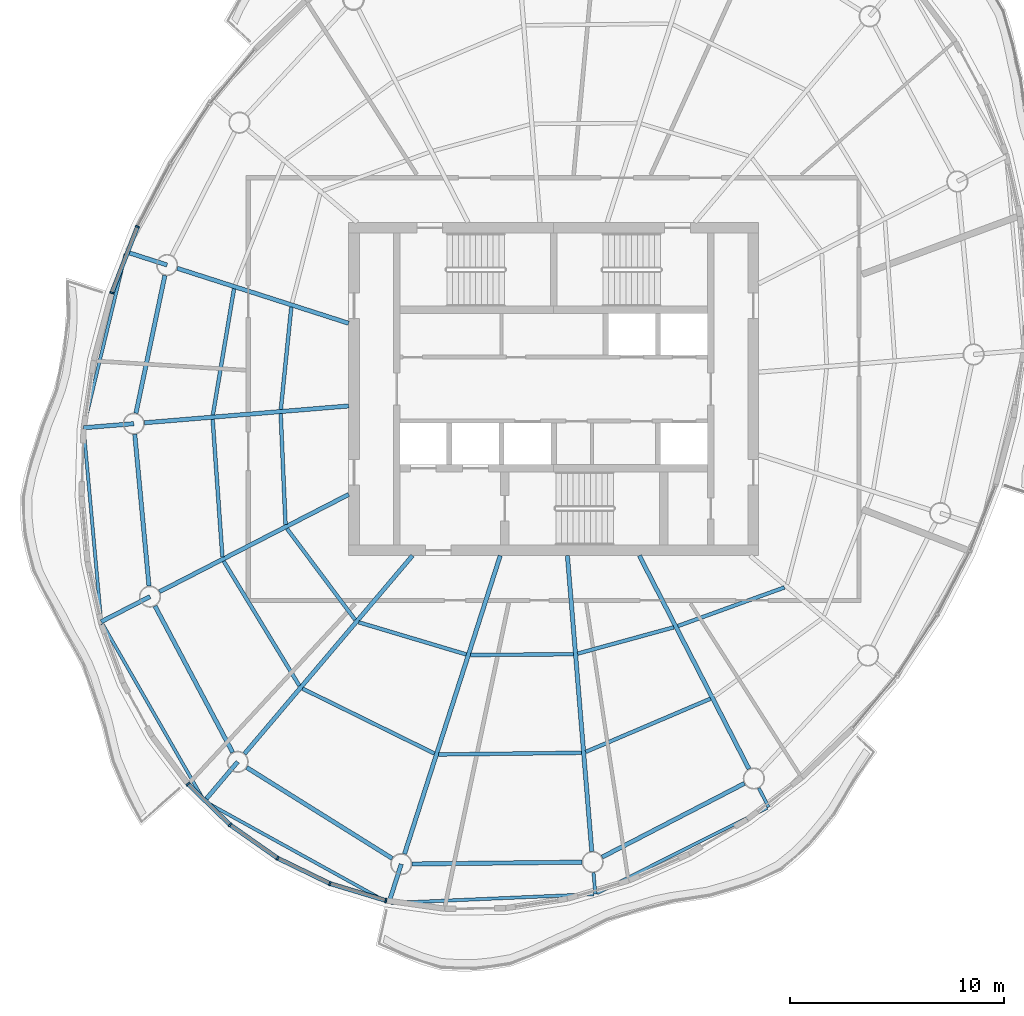
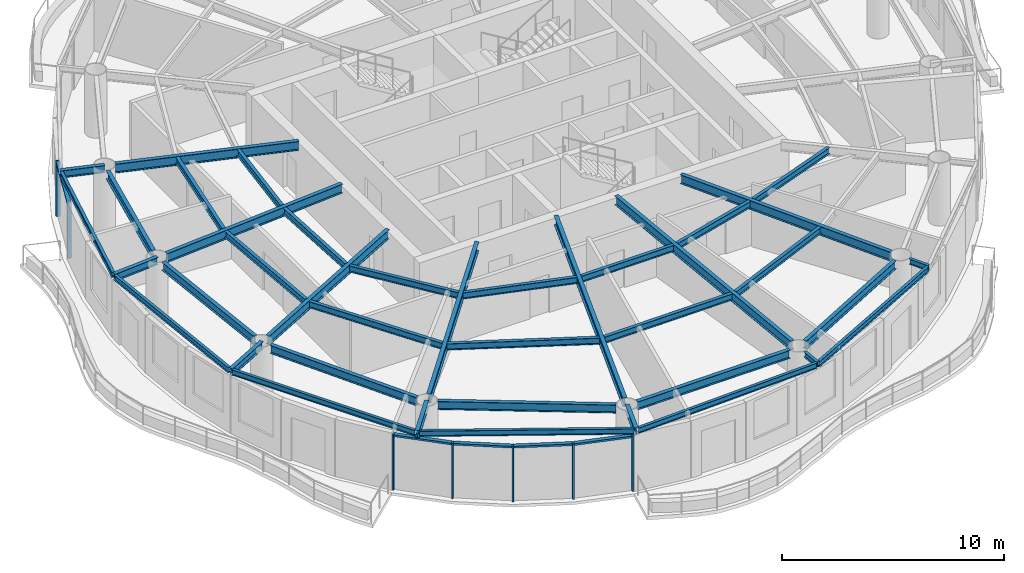
# One storey, part 2 of 13: 39 beams, 12 members, 5 elements without a shape of their own.
"""IFC4 building model written with IfcOpenShell, lengths in metres."""

from ifc_helpers import new_model, si_unit, direction, frame, origin, origin_2d, place, context, subcontext, project, spatial, rectangle, i_section, extrude, material, material_profile, profile_set, type_object, element, aggregate, save


model = new_model("IFC4")

# Units and contexts
model_context = context("Model", 3, precision=1e-05, world=origin(), true_north=direction((0.0, 1.0)))
body_context = subcontext(model_context, "Body", "Model", "MODEL_VIEW")
ifc_project = project(units=[si_unit("LENGTHUNIT", "METRE"), si_unit("AREAUNIT", "SQUARE_METRE"), si_unit("VOLUMEUNIT", "CUBIC_METRE"), si_unit("PLANEANGLEUNIT", "RADIAN"), si_unit("MASSUNIT", "GRAM", prefix="KILO")], contexts=[model_context])

# Site, building, storey
site_placement = place(None, origin())
site = spatial("IfcSite", under=ifc_project, at=site_placement, CompositionType="ELEMENT")
building_placement = place(site_placement, origin())
building = spatial("IfcBuilding", under=site, at=building_placement, Name="Vermilion Reach Broadcast Tower", CompositionType="ELEMENT")
storey_placement = place(building_placement, frame((0.0, 0.0, 272.10009765625)))
storey = spatial("IfcBuildingStorey", under=building, at=storey_placement, Name="L67", CompositionType="ELEMENT", Elevation=272.10009765625)

# Beams
ifc_material_1 = material(Name="Steel S355J2", Category="steel")
ifc_material_profile_1 = material_profile(ifc_material_1, i_section(OverallWidth=0.14990234375, OverallDepth=0.300048828125, WebThickness=0.006591796875, FlangeThickness=0.009033203125, at=origin_2d()), Name="S355J2 HN 300x150x6.5x9")
ifc_profile_set_1 = profile_set([ifc_material_profile_1], Name="Steel S355J2")
beam_type_1 = type_object("IfcBeamType", Name="EB5 HN 300x150x6.5x9", PredefinedType="BEAM", material=ifc_profile_set_1)
beam_1_placement = place(storey_placement, frame((-26.05126953125, 6.328857421875, 3.2998046875), z_axis=(-0.234596291436, -0.972092886531, 0.0), x_axis=(0.972092886531, -0.234596291436, 0.0)))
element("IfcBeam", 1, at=beam_1_placement, inside=storey, type_object=beam_type_1, Name="Edge beam EB5-05", PredefinedType="BEAM", context=body_context, shape_type="SweptSolid", body=[
    extrude(i_section(OverallWidth=0.14990234375, OverallDepth=0.300048828125, WebThickness=0.006591796875, FlangeThickness=0.009033203125, at=origin_2d()), origin(), (0.0, 0.0, 1.0), 8.271240234375),
])
beam_2_placement = place(storey_placement, frame((-28.00732421875, -1.91357421875, 3.2998046875), z_axis=(0.090664207473, -0.995881519802, 0.0), x_axis=(0.995881519802, 0.090664207473, 0.0)))
element("IfcBeam", 2, at=beam_2_placement, inside=storey, type_object=beam_type_1, Name="Edge beam EB5-06", PredefinedType="BEAM", context=body_context, shape_type="SweptSolid", body=[
    extrude(i_section(OverallWidth=0.14990234375, OverallDepth=0.300048828125, WebThickness=0.006591796875, FlangeThickness=0.009033203125, at=origin_2d()), origin(), (0.0, 0.0, 1.0), 8.910400390625),
])
beam_3_placement = place(storey_placement, frame((-27.1396484375, -10.9814453125, 3.2998046875), z_axis=(0.498113756317, -0.867111691634, 0.0), x_axis=(0.867111691634, 0.498113756317, 0.0)))
element("IfcBeam", 3, at=beam_3_placement, inside=storey, type_object=beam_type_1, Name="Edge beam EB5-07", PredefinedType="BEAM", context=body_context, shape_type="SweptSolid", body=[
    extrude(i_section(OverallWidth=0.14990234375, OverallDepth=0.300048828125, WebThickness=0.006591796875, FlangeThickness=0.009033203125, at=origin_2d()), origin(), (0.0, 0.0, 1.0), 9.486572265625),
])
beam_4_placement = place(storey_placement, frame((-22.27197265625, -19.348876953125, 3.2998046875), z_axis=(0.875132600865, -0.483883178984, 0.0), x_axis=(0.483883178984, 0.875132600865, 0.0)))
element("IfcBeam", 4, at=beam_4_placement, inside=storey, type_object=beam_type_1, Name="Edge beam EB5-08", PredefinedType="BEAM", context=body_context, shape_type="SweptSolid", body=[
    extrude(i_section(OverallWidth=0.14990234375, OverallDepth=0.300048828125, WebThickness=0.006591796875, FlangeThickness=0.009033203125, at=origin_2d()), origin(), (0.0, 0.0, 1.0), 9.66455078125),
])
beam_5_placement = place(storey_placement, frame((-13.618408203125, -24.070068359375, 3.2998046875), z_axis=(0.999049942398, 0.043579956335, 0.0), x_axis=(-0.043579956335, 0.999049942398, 0.0)))
element("IfcBeam", 5, at=beam_5_placement, inside=storey, type_object=beam_type_1, Name="Edge beam EB5-09", PredefinedType="BEAM", context=body_context, shape_type="SweptSolid", body=[
    extrude(i_section(OverallWidth=0.14990234375, OverallDepth=0.300048828125, WebThickness=0.006591796875, FlangeThickness=0.009033203125, at=origin_2d()), origin(), (0.0, 0.0, 1.0), 9.501220703125),
])
beam_6_placement = place(storey_placement, frame((-3.97900390625, -23.616455078125, 3.2998046875), z_axis=(0.893725948461, 0.448613340247, 0.0), x_axis=(-0.448613340247, 0.893725948461, 0.0)))
element("IfcBeam", 6, at=beam_6_placement, inside=storey, type_object=beam_type_1, Name="Edge beam EB5-10", PredefinedType="BEAM", context=body_context, shape_type="SweptSolid", body=[
    extrude(i_section(OverallWidth=0.14990234375, OverallDepth=0.300048828125, WebThickness=0.006591796875, FlangeThickness=0.009033203125, at=origin_2d()), origin(), (0.0, 0.0, 1.0), 8.9267578125),
])
ifc_material_2 = material(Name="Steel S355J2", Category="steel")
ifc_material_profile_2 = material_profile(ifc_material_2, i_section(OverallWidth=0.199951171875, OverallDepth=0.5, WebThickness=0.010009765625, FlangeThickness=0.01611328125, at=origin_2d()), Name="S355J2 HN 500x200x10x16")
ifc_profile_set_2 = profile_set([ifc_material_profile_2], Name="Steel S355J2")
beam_type_2 = type_object("IfcBeamType", Name="G5 HN 500x200x10x16", PredefinedType="BEAM", material=ifc_profile_set_2)
beam_7_placement = place(storey_placement, frame((-15.60009765625, 3.080322265625, 3.199951171875), z_axis=(-0.952178453449, 0.305542456604, 0.0), x_axis=(-0.305542456604, -0.952178453449, 0.0)))
element("IfcBeam", 7, at=beam_7_placement, inside=storey, type_object=beam_type_2, Name="Girder G5-05", PredefinedType="BEAM", context=body_context, shape_type="SweptSolid", body=[
    extrude(i_section(OverallWidth=0.199951171875, OverallDepth=0.5, WebThickness=0.010009765625, FlangeThickness=0.01611328125, at=origin_2d()), origin(), (0.0, 0.0, 1.0), 8.43310546875),
])
beam_8_placement = place(storey_placement, frame((-15.60009765625, -0.791015625, 3.199951171875), z_axis=(-0.996624410075, -0.082096195058, 0.0), x_axis=(0.082096195058, -0.996624410075, 0.0)))
element("IfcBeam", 8, at=beam_8_placement, inside=storey, type_object=beam_type_2, Name="Girder G5-06", PredefinedType="BEAM", context=body_context, shape_type="SweptSolid", body=[
    extrude(i_section(OverallWidth=0.199951171875, OverallDepth=0.5, WebThickness=0.010009765625, FlangeThickness=0.01611328125, at=origin_2d()), origin(), (0.0, 0.0, 1.0), 9.599609375),
])
beam_9_placement = place(storey_placement, frame((-15.60009765625, -4.935791015625, 3.199951171875), z_axis=(-0.889332502449, -0.457261085254, 0.0), x_axis=(0.457261085254, -0.889332502449, 0.0)))
element("IfcBeam", 9, at=beam_9_placement, inside=storey, type_object=beam_type_2, Name="Girder G5-07", PredefinedType="BEAM", context=body_context, shape_type="SweptSolid", body=[
    extrude(i_section(OverallWidth=0.199951171875, OverallDepth=0.5, WebThickness=0.010009765625, FlangeThickness=0.01611328125, at=origin_2d()), origin(), (0.0, 0.0, 1.0), 9.96337890625),
])
beam_10_placement = place(storey_placement, frame((-12.612548828125, -7.800048828125, 3.199951171875), z_axis=(-0.646658335602, -0.762779782766, 0.0), x_axis=(0.762779782766, -0.646658335602, 0.0)))
element("IfcBeam", 10, at=beam_10_placement, inside=storey, type_object=beam_type_2, Name="Girder G5-08", PredefinedType="BEAM", context=body_context, shape_type="SweptSolid", body=[
    extrude(i_section(OverallWidth=0.199951171875, OverallDepth=0.5, WebThickness=0.010009765625, FlangeThickness=0.01611328125, at=origin_2d()), origin(), (0.0, 0.0, 1.0), 12.16064453125),
])
beam_11_placement = place(storey_placement, frame((-8.502685546875, -7.800048828125, 3.199951171875), z_axis=(-0.305545401295, -0.952177508528, 0.0), x_axis=(0.952177508528, -0.305545401295, 0.0)))
element("IfcBeam", 11, at=beam_11_placement, inside=storey, type_object=beam_type_2, Name="Girder G5-09", PredefinedType="BEAM", context=body_context, shape_type="SweptSolid", body=[
    extrude(i_section(OverallWidth=0.199951171875, OverallDepth=0.5, WebThickness=0.010009765625, FlangeThickness=0.01611328125, at=origin_2d()), origin(), (0.0, 0.0, 1.0), 14.672607421875),
])
beam_12_placement = place(storey_placement, frame((-5.357421875, -7.800048828125, 3.199951171875), z_axis=(0.082123744247, -0.996622140347, 0.0), x_axis=(0.996622140347, 0.082123744247, 0.0)))
element("IfcBeam", 12, at=beam_12_placement, inside=storey, type_object=beam_type_2, Name="Girder G5-10", PredefinedType="BEAM", context=body_context, shape_type="SweptSolid", body=[
    extrude(i_section(OverallWidth=0.199951171875, OverallDepth=0.5, WebThickness=0.010009765625, FlangeThickness=0.01611328125, at=origin_2d()), origin(), (0.0, 0.0, 1.0), 13.89794921875),
])
beam_13_placement = place(storey_placement, frame((-1.989501953125, -7.800048828125, 3.199951171875), z_axis=(0.457258168112, -0.889334002327, 0.0), x_axis=(0.889334002327, 0.457258168112, 0.0)))
element("IfcBeam", 13, at=beam_13_placement, inside=storey, type_object=beam_type_2, Name="Girder G5-11", PredefinedType="BEAM", context=body_context, shape_type="SweptSolid", body=[
    extrude(i_section(OverallWidth=0.199951171875, OverallDepth=0.5, WebThickness=0.010009765625, FlangeThickness=0.01611328125, at=origin_2d()), origin(), (0.0, 0.0, 1.0), 11.236328125),
])
ifc_material_3 = material(Name="Steel S355J2", Category="steel")
ifc_material_profile_3 = material_profile(ifc_material_3, i_section(OverallWidth=0.199951171875, OverallDepth=0.39990234375, WebThickness=0.008056640625, FlangeThickness=0.012939453125, at=origin_2d()), Name="S355J2 HN 400x200x8x13")
ifc_profile_set_3 = profile_set([ifc_material_profile_3], Name="Steel S355J2")
beam_type_3 = type_object("IfcBeamType", Name="GC5 HN 400x200x8x13", PredefinedType="BEAM", material=ifc_profile_set_3)
beam_14_placement = place(storey_placement, frame((-24.10595703125, 5.809814453125, 3.25), z_axis=(-0.95221465276, 0.305429623758, 0.0), x_axis=(-0.305429623758, -0.95221465276, 0.0)))
element("IfcBeam", 14, at=beam_14_placement, inside=storey, type_object=beam_type_3, Name="Cantilever girder GC5-05", PredefinedType="BEAM", context=body_context, shape_type="SweptSolid", body=[
    extrude(i_section(OverallWidth=0.199951171875, OverallDepth=0.39990234375, WebThickness=0.008056640625, FlangeThickness=0.012939453125, at=origin_2d()), origin(), (0.0, 0.0, 1.0), 2.018310546875),
])
beam_15_placement = place(storey_placement, frame((-25.665771484375, -1.620361328125, 3.25), z_axis=(-0.996625948779, -0.082077513489, 0.0), x_axis=(0.082077513489, -0.996625948779, 0.0)))
element("IfcBeam", 15, at=beam_15_placement, inside=storey, type_object=beam_type_3, Name="Cantilever girder GC5-06", PredefinedType="BEAM", context=body_context, shape_type="SweptSolid", body=[
    extrude(i_section(OverallWidth=0.199951171875, OverallDepth=0.39990234375, WebThickness=0.008056640625, FlangeThickness=0.012939453125, at=origin_2d()), origin(), (0.0, 0.0, 1.0), 2.35888671875),
])
beam_16_placement = place(storey_placement, frame((-24.905517578125, -9.72021484375, 3.25), z_axis=(-0.88931320561, -0.457298613958, 0.0), x_axis=(0.457298613958, -0.88931320561, 0.0)))
element("IfcBeam", 16, at=beam_16_placement, inside=storey, type_object=beam_type_3, Name="Cantilever girder GC5-07", PredefinedType="BEAM", context=body_context, shape_type="SweptSolid", body=[
    extrude(i_section(OverallWidth=0.199951171875, OverallDepth=0.39990234375, WebThickness=0.008056640625, FlangeThickness=0.012939453125, at=origin_2d()), origin(), (0.0, 0.0, 1.0), 2.568359375),
])
beam_17_placement = place(storey_placement, frame((-20.799560546875, -17.457275390625, 3.25), z_axis=(-0.646644338429, -0.762791648865, 0.0), x_axis=(0.762791648865, -0.646644338429, 0.0)))
element("IfcBeam", 17, at=beam_17_placement, inside=storey, type_object=beam_type_3, Name="Cantilever girder GC5-08", PredefinedType="BEAM", context=body_context, shape_type="SweptSolid", body=[
    extrude(i_section(OverallWidth=0.199951171875, OverallDepth=0.39990234375, WebThickness=0.008056640625, FlangeThickness=0.012939453125, at=origin_2d()), origin(), (0.0, 0.0, 1.0), 2.415283203125),
])
beam_18_placement = place(storey_placement, frame((-13.138427734375, -22.2470703125, 3.25), z_axis=(-0.305523298336, -0.952184600891, 0.0), x_axis=(0.952184600891, -0.305523298336, 0.0)))
element("IfcBeam", 18, at=beam_18_placement, inside=storey, type_object=beam_type_3, Name="Cantilever girder GC5-09", PredefinedType="BEAM", context=body_context, shape_type="SweptSolid", body=[
    extrude(i_section(OverallWidth=0.199951171875, OverallDepth=0.39990234375, WebThickness=0.008056640625, FlangeThickness=0.012939453125, at=origin_2d()), origin(), (0.0, 0.0, 1.0), 1.91943359375),
])
ifc_material_4 = material(Name="Steel S355J2", Category="steel")
ifc_material_profile_4 = material_profile(ifc_material_4, i_section(OverallWidth=0.14990234375, OverallDepth=0.300048828125, WebThickness=0.006591796875, FlangeThickness=0.009033203125, at=origin_2d()), Name="S355J2 HN 300x150x6.5x9")
ifc_profile_set_4 = profile_set([ifc_material_profile_4], Name="Steel S355J2")
beam_type_4 = type_object("IfcBeamType", Name="GS5 HN 300x150x6.5x9", PredefinedType="BEAM", material=ifc_profile_set_4)
beam_19_placement = place(storey_placement, frame((-4.134033203125, -22.647705078125, 3.2998046875), z_axis=(0.08206377946, -0.996627079755, 0.0), x_axis=(0.996627079755, 0.08206377946, 0.0)))
element("IfcBeam", 19, at=beam_19_placement, inside=storey, type_object=beam_type_4, Name="Cantilever stub GS5-10", PredefinedType="BEAM", context=body_context, shape_type="SweptSolid", body=[
    extrude(i_section(OverallWidth=0.14990234375, OverallDepth=0.300048828125, WebThickness=0.006591796875, FlangeThickness=0.009033203125, at=origin_2d()), origin(), (0.0, 0.0, 1.0), 1.008544921875),
])
beam_20_placement = place(storey_placement, frame((3.60546875, -18.682373046875, 3.2998046875), z_axis=(0.457364442195, -0.889279352631, 0.0), x_axis=(0.889279352631, 0.457364442195, 0.0)))
element("IfcBeam", 20, at=beam_20_placement, inside=storey, type_object=beam_type_4, Name="Cantilever stub GS5-11", PredefinedType="BEAM", context=body_context, shape_type="SweptSolid", body=[
    extrude(i_section(OverallWidth=0.14990234375, OverallDepth=0.300048828125, WebThickness=0.006591796875, FlangeThickness=0.009033203125, at=origin_2d()), origin(), (0.0, 0.0, 1.0), 1.00732421875),
])
ifc_material_5 = material(Name="Steel S355J2", Category="steel")
ifc_material_profile_5 = material_profile(ifc_material_5, i_section(OverallWidth=0.199951171875, OverallDepth=0.449951171875, WebThickness=0.009033203125, FlangeThickness=0.013916015625, at=origin_2d()), Name="S355J2 HN 450x200x9x14")
ifc_profile_set_5 = profile_set([ifc_material_profile_5], Name="Steel S355J2")
beam_type_5 = type_object("IfcBeamType", Name="RB5 HN 450x200x9x14", PredefinedType="BEAM", material=ifc_profile_set_5)
beam_21_placement = place(storey_placement, frame((-24.208740234375, 5.3203125, 3.224853515625), z_axis=(-0.205444869285, -0.978668690459, 0.0), x_axis=(0.978668690459, -0.205444869285, 0.0)))
element("IfcBeam", 21, at=beam_21_placement, inside=storey, type_object=beam_type_5, Name="Ring beam RB5-05", PredefinedType="BEAM", context=body_context, shape_type="SweptSolid", body=[
    extrude(i_section(OverallWidth=0.199951171875, OverallDepth=0.449951171875, WebThickness=0.009033203125, FlangeThickness=0.013916015625, at=origin_2d()), origin(), (0.0, 0.0, 1.0), 6.591796875),
])
beam_22_placement = place(storey_placement, frame((-25.618896484375, -2.1181640625, 3.224853515625), z_axis=(0.093441399272, -0.995624781181, 0.0), x_axis=(0.995624781181, 0.093441399272, 0.0)))
element("IfcBeam", 22, at=beam_22_placement, inside=storey, type_object=beam_type_5, Name="Ring beam RB5-06", PredefinedType="BEAM", context=body_context, shape_type="SweptSolid", body=[
    extrude(i_section(OverallWidth=0.199951171875, OverallDepth=0.449951171875, WebThickness=0.009033203125, FlangeThickness=0.013916015625, at=origin_2d()), origin(), (0.0, 0.0, 1.0), 7.135498046875),
])
beam_23_placement = place(storey_placement, frame((-24.671142578125, -10.161865234375, 3.224853515625), z_axis=(0.468767917375, -0.883321368269, 0.0), x_axis=(0.883321368269, 0.468767917375, 0.0)))
element("IfcBeam", 23, at=beam_23_placement, inside=storey, type_object=beam_type_5, Name="Ring beam RB5-07", PredefinedType="BEAM", context=body_context, shape_type="SweptSolid", body=[
    extrude(i_section(OverallWidth=0.199951171875, OverallDepth=0.449951171875, WebThickness=0.009033203125, FlangeThickness=0.013916015625, at=origin_2d()), origin(), (0.0, 0.0, 1.0), 7.759033203125),
])
beam_24_placement = place(storey_placement, frame((-20.375732421875, -17.722412109375, 3.224853515625), z_axis=(0.847914653245, -0.530132757724, 0.0), x_axis=(0.530132757724, 0.847914653245, 0.0)))
element("IfcBeam", 24, at=beam_24_placement, inside=storey, type_object=beam_type_5, Name="Ring beam RB5-08", PredefinedType="BEAM", context=body_context, shape_type="SweptSolid", body=[
    extrude(i_section(OverallWidth=0.199951171875, OverallDepth=0.449951171875, WebThickness=0.009033203125, FlangeThickness=0.013916015625, at=origin_2d()), origin(), (0.0, 0.0, 1.0), 8.035400390625),
])
beam_25_placement = place(storey_placement, frame((-12.638427734375, -22.24169921875, 3.224853515625), z_axis=(0.999940445231, 0.010913569149, 0.0), x_axis=(-0.010913569149, 0.999940445231, 0.0)))
element("IfcBeam", 25, at=beam_25_placement, inside=storey, type_object=beam_type_5, Name="Ring beam RB5-09", PredefinedType="BEAM", context=body_context, shape_type="SweptSolid", body=[
    extrude(i_section(OverallWidth=0.199951171875, OverallDepth=0.449951171875, WebThickness=0.009033203125, FlangeThickness=0.013916015625, at=origin_2d()), origin(), (0.0, 0.0, 1.0), 7.9638671875),
])
beam_26_placement = place(storey_placement, frame((-3.731201171875, -21.91943359375, 3.224853515625), z_axis=(0.887960248279, 0.459920207729, 0.0), x_axis=(-0.459920207729, 0.887960248279, 0.0)))
element("IfcBeam", 26, at=beam_26_placement, inside=storey, type_object=beam_type_5, Name="Ring beam RB5-10", PredefinedType="BEAM", context=body_context, shape_type="SweptSolid", body=[
    extrude(i_section(OverallWidth=0.199951171875, OverallDepth=0.449951171875, WebThickness=0.009033203125, FlangeThickness=0.013916015625, at=origin_2d()), origin(), (0.0, 0.0, 1.0), 7.5048828125),
])
ifc_material_6 = material(Name="Steel S355J2", Category="steel")
ifc_material_profile_6 = material_profile(ifc_material_6, i_section(OverallWidth=0.175048828125, OverallDepth=0.35009765625, WebThickness=0.007080078125, FlangeThickness=0.010986328125, at=origin_2d()), Name="S355J2 HN 350x175x7x11")
ifc_profile_set_6 = profile_set([ifc_material_profile_6], Name="Steel S355J2")
beam_type_6 = type_object("IfcBeamType", Name="SB5 HN 350x175x7x11", PredefinedType="BEAM", material=ifc_profile_set_6)
beam_27_placement = place(storey_placement, frame((-18.287109375, 3.837646484375, 3.27490234375), z_axis=(-0.102113775264, -0.994772726255, 0.0), x_axis=(0.994772726255, -0.102113775264, 0.0)))
element("IfcBeam", 27, at=beam_27_placement, inside=storey, type_object=beam_type_6, Name="Secondary beam SB5-05-1", PredefinedType="BEAM", context=body_context, shape_type="SweptSolid", body=[
    extrude(i_section(OverallWidth=0.175048828125, OverallDepth=0.35009765625, WebThickness=0.007080078125, FlangeThickness=0.010986328125, at=origin_2d()), origin(), (0.0, 0.0, 1.0), 4.815185546875),
])
beam_28_placement = place(storey_placement, frame((-20.969970703125, 4.698486328125, 3.27490234375), z_axis=(-0.16532337011, -0.986239414795, 0.0), x_axis=(0.986239414795, -0.16532337011, 0.0)))
element("IfcBeam", 28, at=beam_28_placement, inside=storey, type_object=beam_type_6, Name="Secondary beam SB5-05-2", PredefinedType="BEAM", context=body_context, shape_type="SweptSolid", body=[
    extrude(i_section(OverallWidth=0.175048828125, OverallDepth=0.35009765625, WebThickness=0.007080078125, FlangeThickness=0.010986328125, at=origin_2d()), origin(), (0.0, 0.0, 1.0), 5.99560546875),
])
beam_29_placement = place(storey_placement, frame((-18.78466796875, -1.153564453125, 3.27490234375), z_axis=(0.043557530017, -0.999050920413, 0.0), x_axis=(0.999050920413, 0.043557530017, 0.0)))
element("IfcBeam", 29, at=beam_29_placement, inside=storey, type_object=beam_type_6, Name="Secondary beam SB5-06-1", PredefinedType="BEAM", context=body_context, shape_type="SweptSolid", body=[
    extrude(i_section(OverallWidth=0.175048828125, OverallDepth=0.35009765625, WebThickness=0.007080078125, FlangeThickness=0.010986328125, at=origin_2d()), origin(), (0.0, 0.0, 1.0), 5.19580078125),
])
beam_30_placement = place(storey_placement, frame((-21.97119140625, -1.416259765625, 3.27490234375), z_axis=(0.070586780458, -0.997505642302, 0.0), x_axis=(0.997505642302, 0.070586780458, 0.0)))
element("IfcBeam", 30, at=beam_30_placement, inside=storey, type_object=beam_type_6, Name="Secondary beam SB5-06-2", PredefinedType="BEAM", context=body_context, shape_type="SweptSolid", body=[
    extrude(i_section(OverallWidth=0.175048828125, OverallDepth=0.35009765625, WebThickness=0.007080078125, FlangeThickness=0.010986328125, at=origin_2d()), origin(), (0.0, 0.0, 1.0), 6.46435546875),
])
beam_31_placement = place(storey_placement, frame((-18.492919921875, -6.53564453125, 3.27490234375), z_axis=(0.599055582645, -0.800707442767, 0.0), x_axis=(0.800707442767, 0.599055582645, 0.0)))
element("IfcBeam", 31, at=beam_31_placement, inside=storey, type_object=beam_type_6, Name="Secondary beam SB5-07-1", PredefinedType="BEAM", context=body_context, shape_type="SweptSolid", body=[
    extrude(i_section(OverallWidth=0.175048828125, OverallDepth=0.35009765625, WebThickness=0.007080078125, FlangeThickness=0.010986328125, at=origin_2d()), origin(), (0.0, 0.0, 1.0), 5.337890625),
])
beam_32_placement = place(storey_placement, frame((-21.455078125, -8.058837890625, 3.27490234375), z_axis=(0.519272962556, -0.854608442714, 0.0), x_axis=(0.854608442714, 0.519272962556, 0.0)))
element("IfcBeam", 32, at=beam_32_placement, inside=storey, type_object=beam_type_6, Name="Secondary beam SB5-07-2", PredefinedType="BEAM", context=body_context, shape_type="SweptSolid", body=[
    extrude(i_section(OverallWidth=0.175048828125, OverallDepth=0.35009765625, WebThickness=0.007080078125, FlangeThickness=0.010986328125, at=origin_2d()), origin(), (0.0, 0.0, 1.0), 6.82763671875),
])
beam_33_placement = place(storey_placement, frame((-15.129150390625, -10.92333984375, 3.27490234375), z_axis=(0.958124906971, -0.286350593925, 0.0), x_axis=(0.286350593925, 0.958124906971, 0.0)))
element("IfcBeam", 33, at=beam_33_placement, inside=storey, type_object=beam_type_6, Name="Secondary beam SB5-08-1", PredefinedType="BEAM", context=body_context, shape_type="SweptSolid", body=[
    extrude(i_section(OverallWidth=0.175048828125, OverallDepth=0.35009765625, WebThickness=0.007080078125, FlangeThickness=0.010986328125, at=origin_2d()), origin(), (0.0, 0.0, 1.0), 5.25634765625),
])
beam_34_placement = place(storey_placement, frame((-17.762451171875, -14.029541015625, 3.27490234375), z_axis=(0.897335928087, -0.441348198325, 0.0), x_axis=(0.441348198325, 0.897335928087, 0.0)))
element("IfcBeam", 34, at=beam_34_placement, inside=storey, type_object=beam_type_6, Name="Secondary beam SB5-08-2", PredefinedType="BEAM", context=body_context, shape_type="SweptSolid", body=[
    extrude(i_section(OverallWidth=0.175048828125, OverallDepth=0.35009765625, WebThickness=0.007080078125, FlangeThickness=0.010986328125, at=origin_2d()), origin(), (0.0, 0.0, 1.0), 6.887451171875),
])
beam_35_placement = place(storey_placement, frame((-9.891845703125, -12.4560546875, 3.27490234375), z_axis=(0.999968312294, 0.007960804474, 0.0), x_axis=(-0.007960804474, 0.999968312294, 0.0)))
element("IfcBeam", 35, at=beam_35_placement, inside=storey, type_object=beam_type_6, Name="Secondary beam SB5-09-1", PredefinedType="BEAM", context=body_context, shape_type="SweptSolid", body=[
    extrude(i_section(OverallWidth=0.175048828125, OverallDepth=0.35009765625, WebThickness=0.007080078125, FlangeThickness=0.010986328125, at=origin_2d()), origin(), (0.0, 0.0, 1.0), 4.81494140625),
])
beam_36_placement = place(storey_placement, frame((-11.385986328125, -17.11279296875, 3.27490234375), z_axis=(0.999932654133, 0.011605481368, 0.0), x_axis=(-0.011605481368, 0.999932654133, 0.0)))
element("IfcBeam", 36, at=beam_36_placement, inside=storey, type_object=beam_type_6, Name="Secondary beam SB5-09-2", PredefinedType="BEAM", context=body_context, shape_type="SweptSolid", body=[
    extrude(i_section(OverallWidth=0.175048828125, OverallDepth=0.35009765625, WebThickness=0.007080078125, FlangeThickness=0.010986328125, at=origin_2d()), origin(), (0.0, 0.0, 1.0), 6.689697265625),
])
beam_37_placement = place(storey_placement, frame((-4.87890625, -12.39013671875, 3.27490234375), z_axis=(0.964547496851, 0.263909314573, 0.0), x_axis=(-0.263909314573, 0.964547496851, 0.0)))
element("IfcBeam", 37, at=beam_37_placement, inside=storey, type_object=beam_type_6, Name="Secondary beam SB5-10-1", PredefinedType="BEAM", context=body_context, shape_type="SweptSolid", body=[
    extrude(i_section(OverallWidth=0.175048828125, OverallDepth=0.35009765625, WebThickness=0.007080078125, FlangeThickness=0.010986328125, at=origin_2d()), origin(), (0.0, 0.0, 1.0), 4.6689453125),
])
beam_38_placement = place(storey_placement, frame((-4.49951171875, -16.99267578125, 3.27490234375), z_axis=(0.919880986172, 0.392197617637, 0.0), x_axis=(-0.392197617637, 0.919880986172, 0.0)))
element("IfcBeam", 38, at=beam_38_placement, inside=storey, type_object=beam_type_6, Name="Secondary beam SB5-10-2", PredefinedType="BEAM", context=body_context, shape_type="SweptSolid", body=[
    extrude(i_section(OverallWidth=0.175048828125, OverallDepth=0.35009765625, WebThickness=0.007080078125, FlangeThickness=0.010986328125, at=origin_2d()), origin(), (0.0, 0.0, 1.0), 6.351806640625),
])
beam_39_placement = place(storey_placement, frame((-0.18212890625, -11.0966796875, 3.27490234375), z_axis=(0.940220108875, 0.340567389613, 0.0), x_axis=(-0.340567389613, 0.940220108875, 0.0)))
element("IfcBeam", 39, at=beam_39_placement, inside=storey, type_object=beam_type_6, Name="Secondary beam SB5-11-1", PredefinedType="BEAM", context=body_context, shape_type="SweptSolid", body=[
    extrude(i_section(OverallWidth=0.175048828125, OverallDepth=0.35009765625, WebThickness=0.007080078125, FlangeThickness=0.010986328125, at=origin_2d()), origin(), (0.0, 0.0, 1.0), 5.303466796875),
])

# Curtain wall, members
ifc_material_7 = material(Name="Low-e laminated clear glass in aluminium frame", Category="aluminium")
curtain_wall_type = type_object("IfcCurtainWallType", Name="Slot curtain wall", PredefinedType="NOTDEFINED", material=ifc_material_7)
placement = place(storey_placement, origin())
curtain_wall_1 = element("IfcCurtainWall", 40, at=placement, inside=storey, type_object=curtain_wall_type, Name="Slot curtain wall L67 13", PredefinedType="NOTDEFINED")
ifc_material_8 = material(Name="Anodised aluminium", Category="aluminium")
ifc_material_profile_7 = material_profile(ifc_material_8, rectangle(XDim=0.199951171875, YDim=0.080078125, at=origin_2d()), Name="Slot mullion 80 x 200")
ifc_profile_set_7 = profile_set([ifc_material_profile_7], Name="Anodised aluminium")
member_type_1 = type_object("IfcMemberType", Name="Slot mullion 80 x 200", PredefinedType="MULLION", material=ifc_profile_set_7)
member_1_placement = place(storey_placement, frame((-25.49169921875, 7.603515625, 0.0), z_axis=(0.0, 0.0, 1.0), x_axis=(0.911302212521, -0.411738117562, 0.0)))
member_1 = element("IfcMember", 41, at=member_1_placement, type_object=member_type_1, Name="Slot mullion L67 13", PredefinedType="MULLION", context=body_context, shape_type="SweptSolid", body=[
    extrude(rectangle(XDim=0.199951171875, YDim=0.080078125, at=origin_2d()), origin(), (0.0, 0.0, 1.0), 3.0498046875),
])
member_2_placement = place(storey_placement, frame((-26.693359375, 4.5087890625, 0.0), z_axis=(0.0, 0.0, 1.0), x_axis=(0.950629449844, -0.31032829244, 0.0)))
member_2 = element("IfcMember", 42, at=member_2_placement, type_object=member_type_1, Name="Slot mullion L67 14", PredefinedType="MULLION", context=body_context, shape_type="SweptSolid", body=[
    extrude(rectangle(XDim=0.199951171875, YDim=0.080078125, at=origin_2d()), origin(), (0.0, 0.0, 1.0), 3.0498046875),
])

# Curtain wall, member
curtain_wall_2 = element("IfcCurtainWall", 43, at=placement, inside=storey, type_object=curtain_wall_type, Name="Slot curtain wall L67 22", PredefinedType="NOTDEFINED")
member_3_placement = place(storey_placement, frame((-23.125, -18.49609375, 0.0), z_axis=(0.0, 0.0, 1.0), x_axis=(0.749573902945, 0.661920662938, 0.0)))
member_3 = element("IfcMember", 44, at=member_3_placement, type_object=member_type_1, Name="Slot mullion L67 22", PredefinedType="MULLION", context=body_context, shape_type="SweptSolid", body=[
    extrude(rectangle(XDim=0.199951171875, YDim=0.080078125, at=origin_2d()), origin(), (0.0, 0.0, 1.0), 3.0498046875),
])

curtain_wall_3 = element("IfcCurtainWall", 45, at=placement, inside=storey, type_object=curtain_wall_type, Name="Slot curtain wall L67 23", PredefinedType="NOTDEFINED")
member_4_placement = place(storey_placement, frame((-21.156005859375, -20.406005859375, 0.0), z_axis=(0.0, 0.0, 1.0), x_axis=(0.637274907423, 0.770636550113, 0.0)))
member_4 = element("IfcMember", 46, at=member_4_placement, type_object=member_type_1, Name="Slot mullion L67 23", PredefinedType="MULLION", context=body_context, shape_type="SweptSolid", body=[
    extrude(rectangle(XDim=0.199951171875, YDim=0.080078125, at=origin_2d()), origin(), (0.0, 0.0, 1.0), 3.0498046875),
])

curtain_wall_4 = element("IfcCurtainWall", 47, at=placement, inside=storey, type_object=curtain_wall_type, Name="Slot curtain wall L67 24", PredefinedType="NOTDEFINED")
member_5_placement = place(storey_placement, frame((-18.9296875, -21.9677734375, 0.0), z_axis=(0.0, 0.0, 1.0), x_axis=(0.507237652661, 0.861806221678, 0.0)))
member_5 = element("IfcMember", 48, at=member_5_placement, type_object=member_type_1, Name="Slot mullion L67 24", PredefinedType="MULLION", context=body_context, shape_type="SweptSolid", body=[
    extrude(rectangle(XDim=0.199951171875, YDim=0.080078125, at=origin_2d()), origin(), (0.0, 0.0, 1.0), 3.0498046875),
])

# Curtain wall, members
curtain_wall_5 = element("IfcCurtainWall", 49, at=placement, inside=storey, type_object=curtain_wall_type, Name="Slot curtain wall L67 25", PredefinedType="NOTDEFINED")
member_6_placement = place(storey_placement, frame((-16.4833984375, -23.156005859375, 0.0), z_axis=(0.0, 0.0, 1.0), x_axis=(0.364406877508, 0.931239833568, 0.0)))
member_6 = element("IfcMember", 50, at=member_6_placement, type_object=member_type_1, Name="Slot mullion L67 25", PredefinedType="MULLION", context=body_context, shape_type="SweptSolid", body=[
    extrude(rectangle(XDim=0.199951171875, YDim=0.080078125, at=origin_2d()), origin(), (0.0, 0.0, 1.0), 3.0498046875),
])
member_7_placement = place(storey_placement, frame((-13.85791015625, -23.950439453125, 0.0), z_axis=(0.0, 0.0, 1.0), x_axis=(0.214846299436, 0.976647872889, 0.0)))
member_7 = element("IfcMember", 51, at=member_7_placement, type_object=member_type_1, Name="Slot mullion L67 26", PredefinedType="MULLION", context=body_context, shape_type="SweptSolid", body=[
    extrude(rectangle(XDim=0.199951171875, YDim=0.080078125, at=origin_2d()), origin(), (0.0, 0.0, 1.0), 3.0498046875),
])

# Member
ifc_material_9 = material(Name="Anodised aluminium", Category="aluminium")
ifc_material_profile_8 = material_profile(ifc_material_9, rectangle(XDim=0.199951171875, YDim=0.10009765625, at=origin_2d()), Name="Slot transom 200 x 100")
ifc_profile_set_8 = profile_set([ifc_material_profile_8], Name="Anodised aluminium")
member_type_2 = type_object("IfcMemberType", Name="Slot transom 200 x 100", PredefinedType="USERDEFINED", material=ifc_profile_set_8)
member_8_placement = place(storey_placement, frame((-25.506103515625, 7.566162109375, 3.0), z_axis=(-0.362017109633, -0.932171450074, 0.0), x_axis=(0.932171450074, -0.362017109633, 0.0)))
member_8 = element("IfcMember", 52, at=member_8_placement, type_object=member_type_2, Name="Slot transom L67 13.1", ObjectType="TRANSOM", PredefinedType="USERDEFINED", context=body_context, shape_type="SweptSolid", body=[
    extrude(rectangle(XDim=0.199951171875, YDim=0.10009765625, at=origin_2d()), origin(), (0.0, 0.0, 1.0), 3.23974609375),
])

aggregate(curtain_wall_1, [member_1, member_2, member_8])

member_9_placement = place(storey_placement, frame((-23.096435546875, -18.52392578125, 3.0), z_axis=(0.717842077726, -0.696205969125, 0.0), x_axis=(0.696205969125, 0.717842077726, 0.0)))
member_9 = element("IfcMember", 53, at=member_9_placement, type_object=member_type_2, Name="Slot transom L67 22.1", ObjectType="TRANSOM", PredefinedType="USERDEFINED", context=body_context, shape_type="SweptSolid", body=[
    extrude(rectangle(XDim=0.199951171875, YDim=0.10009765625, at=origin_2d()), origin(), (0.0, 0.0, 1.0), 2.6630859375),
])

aggregate(curtain_wall_2, [member_3, member_9])

member_10_placement = place(storey_placement, frame((-21.123291015625, -20.428955078125, 3.0), z_axis=(0.818653579829, -0.57428765983, 0.0), x_axis=(0.57428765983, 0.818653579829, 0.0)))
member_10 = element("IfcMember", 54, at=member_10_placement, type_object=member_type_2, Name="Slot transom L67 23.1", ObjectType="TRANSOM", PredefinedType="USERDEFINED", context=body_context, shape_type="SweptSolid", body=[
    extrude(rectangle(XDim=0.199951171875, YDim=0.10009765625, at=origin_2d()), origin(), (0.0, 0.0, 1.0), 2.6396484375),
])

aggregate(curtain_wall_3, [member_4, member_10])

member_11_placement = place(storey_placement, frame((-18.893798828125, -21.9853515625, 3.0), z_axis=(0.899492579625, -0.436936035594, 0.0), x_axis=(0.436936035594, 0.899492579625, 0.0)))
member_11 = element("IfcMember", 55, at=member_11_placement, type_object=member_type_2, Name="Slot transom L67 24.1", ObjectType="TRANSOM", PredefinedType="USERDEFINED", context=body_context, shape_type="SweptSolid", body=[
    extrude(rectangle(XDim=0.199951171875, YDim=0.10009765625, at=origin_2d()), origin(), (0.0, 0.0, 1.0), 2.6396484375),
])

aggregate(curtain_wall_4, [member_5, member_11])

member_12_placement = place(storey_placement, frame((-16.445068359375, -23.167724609375, 3.0), z_axis=(0.957142299053, -0.289618057731, 0.0), x_axis=(0.289618057731, 0.957142299053, 0.0)))
member_12 = element("IfcMember", 56, at=member_12_placement, type_object=member_type_2, Name="Slot transom L67 25.1", ObjectType="TRANSOM", PredefinedType="USERDEFINED", context=body_context, shape_type="SweptSolid", body=[
    extrude(rectangle(XDim=0.199951171875, YDim=0.10009765625, at=origin_2d()), origin(), (0.0, 0.0, 1.0), 2.662841796875),
])

aggregate(curtain_wall_5, [member_6, member_7, member_12])

save(model, "model.ifc")
